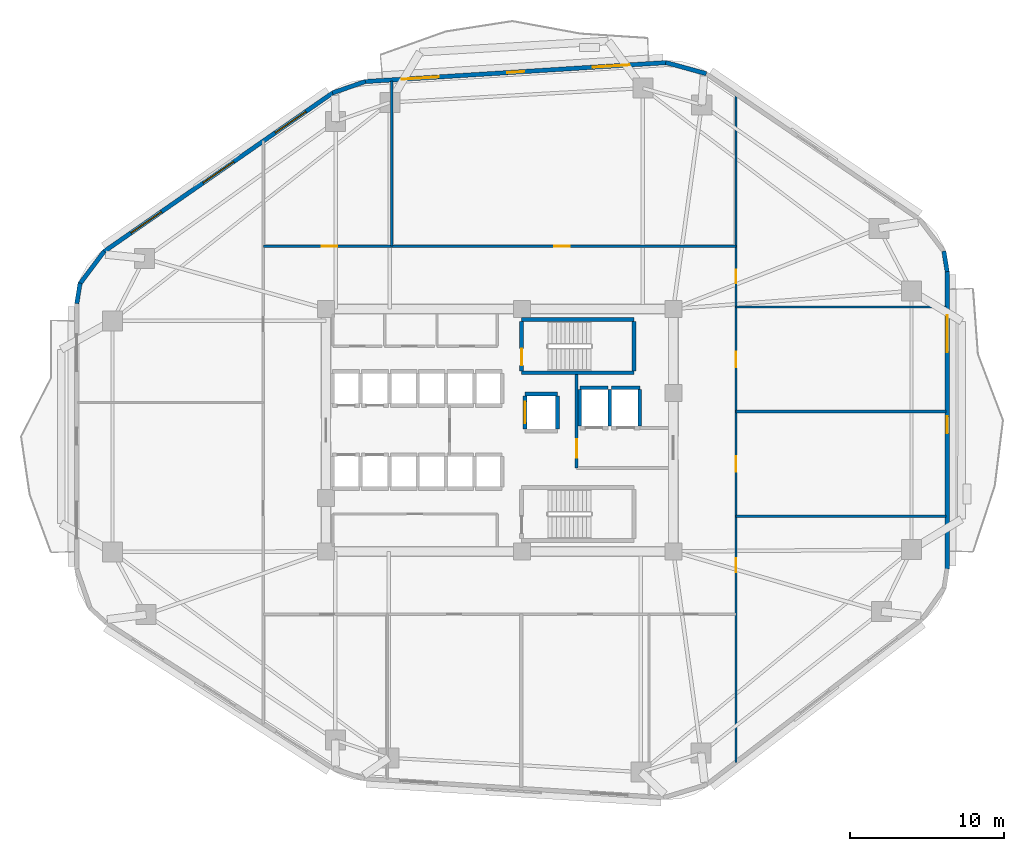
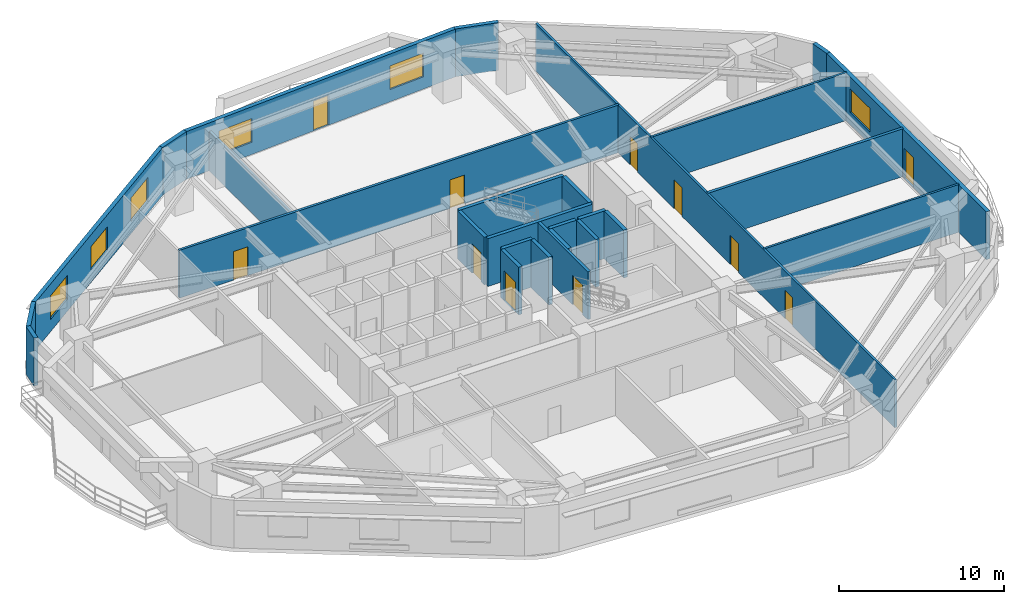
# One storey, part 5 of 9: 27 walls, 11 doors, 6 windows, 17 openings.
"""IFC4 building model written with IfcOpenShell, lengths in metres."""

from ifc_helpers import new_model, si_unit, direction, frame, frame_2d, origin, place, context, subcontext, project, spatial, rectangle, extrude, material, layer, layer_set, type_object, element, fill, save


model = new_model("IFC4")

# Units and contexts
model_context = context("Model", 3, precision=1e-05, world=origin(), true_north=direction((0.0, 1.0)))
body_context = subcontext(model_context, "Body", "Model", "MODEL_VIEW")
ifc_project = project(units=[si_unit("LENGTHUNIT", "METRE"), si_unit("AREAUNIT", "SQUARE_METRE"), si_unit("VOLUMEUNIT", "CUBIC_METRE"), si_unit("PLANEANGLEUNIT", "RADIAN"), si_unit("MASSUNIT", "GRAM", prefix="KILO")], contexts=[model_context])

# Site, building, storey
site_placement = place(None, origin())
site = spatial("IfcSite", under=ifc_project, at=site_placement, CompositionType="ELEMENT")
building_placement = place(site_placement, origin())
building = spatial("IfcBuilding", under=site, at=building_placement, Name="Zulverin Broadcast Headquarters", CompositionType="ELEMENT")
storey_placement = place(building_placement, frame((0.0, 0.0, 63.0)))
storey = spatial("IfcBuildingStorey", under=building, at=storey_placement, Name="L15", CompositionType="ELEMENT", Elevation=63.0)

# Wall
ifc_material_1 = material(Name="Acoustic drywall steel stud", Category="steel")
ifc_layer_1 = layer(ifc_material_1, 0.199951171875, Name="Acoustic drywall steel stud", Category="steel")
ifc_layer_set_1 = layer_set([ifc_layer_1], Name="Acoustic drywall steel stud")
wall_type_1 = type_object("IfcWallType", Name="WL-ACOU-200", PredefinedType="PARTITIONING", material=ifc_layer_set_1)
wall_1_placement = place(storey_placement, frame((52.35009765625, 26.39990234375, 0.0), z_axis=(0.0, 0.0, 1.0), x_axis=(1.0, 0.0, 0.0)))
element("IfcWall", 1, at=wall_1_placement, inside=storey, type_object=wall_type_1, Name="L15 Room Partition Wall RP-09", PredefinedType="PARTITIONING", context=body_context, shape_type="SweptSolid", body=[
    extrude(rectangle(XDim=13.64501953125, YDim=0.199951171875, at=frame_2d((6.822509765625, 0.0))), origin(), (0.0, 0.0, 1.0), 3.52490234375),
])

# Wall, openings, door, window
ifc_material_2 = material(Name="Insulated pale-metal clad concrete spandrel C40/50", Category="concrete")
ifc_layer_2 = layer(ifc_material_2, 0.280029296875, Name="Insulated pale-metal clad concrete spandrel C40/50", Category="concrete")
ifc_layer_set_2 = layer_set([ifc_layer_2], Name="Insulated pale-metal clad concrete spandrel C40/50")
wall_type_2 = type_object("IfcWallType", Name="WL-EXT-280", PredefinedType="STANDARD", material=ifc_layer_set_2)
wall_2_placement = place(storey_placement, frame((66.06005859375, 16.183349609375, 0.0), z_axis=(0.0, 0.0, 1.0), x_axis=(0.0, 1.0, 0.0)))
wall_2 = element("IfcWall", 2, at=wall_2_placement, inside=storey, type_object=wall_type_2, Name="L15 Pale-Metal Clad Spandrel Wall 3", PredefinedType="STANDARD", context=body_context, shape_type="SweptSolid", body=[
    extrude(rectangle(XDim=19.3310546875, YDim=0.280029296875, at=frame_2d((9.66552734375, 0.0))), origin(), (0.0, 0.0, 1.0), 3.52490234375),
])
opening_1_placement = place(wall_2_placement, frame((8.8154296875, 0.0, 0.0)))
opening_1 = element("IfcOpeningElement", 3, at=opening_1_placement, cuts=wall_2, Name="Opening D-L15-TR3", PredefinedType="OPENING", context=body_context, shape_type="SweptSolid", body=[
    extrude(rectangle(XDim=1.10009765625, YDim=2.199951171875, at=frame_2d((0.550048828125, 1.10009765625))), frame((0.0, 0.14990234375, 0.0), z_axis=(0.0, -1.0, 0.0), x_axis=(1.0, 0.0, 0.0)), (0.0, 0.0, 1.0), 0.300048828125),
])
opening_2_placement = place(wall_2_placement, frame((14.075927734375, 0.0, 0.89990234375)))
opening_2 = element("IfcOpeningElement", 4, at=opening_2_placement, cuts=wall_2, Name="Opening W-L15-E31", PredefinedType="OPENING", context=body_context, shape_type="SweptSolid", body=[
    extrude(rectangle(XDim=2.39990234375, YDim=1.75, at=frame_2d((1.199951171875, 0.875))), frame((0.0, 0.14990234375, 0.0), z_axis=(0.0, -1.0, 0.0), x_axis=(1.0, 0.0, 0.0)), (0.0, 0.0, 1.0), 0.300048828125),
])
ifc_material_3 = material(Name="Thermally broken aluminium glazed", Category="aluminium")
door_type_1 = type_object("IfcDoorType", Name="DR-TERR-1100", OperationType="SINGLE_SWING_RIGHT", PredefinedType="DOOR", material=ifc_material_3)
door_1_placement = place(opening_1_placement, origin())
door_1 = element("IfcDoor", 5, at=door_1_placement, inside=storey, type_object=door_type_1, Name="L15 Planted Terrace Glazed Access Door 3", OperationType="SINGLE_SWING_RIGHT", OverallHeight=2.199951171875, OverallWidth=1.10009765625, PredefinedType="DOOR", context=body_context, shape_type="SweptSolid", body=[
    extrude(rectangle(XDim=1.10009765625, YDim=2.199951171875, at=frame_2d((0.550048828125, 1.10009765625))), frame((0.0, 0.02490234375, 0.0), z_axis=(0.0, -1.0, 0.0), x_axis=(1.0, 0.0, 0.0)), (0.0, 0.0, 1.0), 0.050048828125),
])
fill(opening_1, door_1)
ifc_material_4 = material(Name="Pale anodized aluminium frame with solar-control low-E double glazing", Category="aluminium")
window_type = type_object("IfcWindowType", Name="WIN-RIB-2400", PartitioningType="SINGLE_PANEL", PredefinedType="WINDOW", material=ifc_material_4)
window_1_placement = place(opening_2_placement, origin())
window_1 = element("IfcWindow", 6, at=window_1_placement, inside=storey, type_object=window_type, Name="L15 Ribbon Glazing Window 3 1", OverallHeight=1.75, OverallWidth=2.39990234375, PartitioningType="SINGLE_PANEL", PredefinedType="WINDOW", context=body_context, shape_type="SweptSolid", body=[
    extrude(rectangle(XDim=2.39990234375, YDim=1.75, at=frame_2d((1.199951171875, 0.875))), frame((0.0, 0.030029296875, 0.0), z_axis=(0.0, -1.0, 0.0), x_axis=(1.0, 0.0, 0.0)), (0.0, 0.0, 1.0), 0.06005859375),
])
fill(opening_2, window_1)

# Wall, openings, door, windows
wall_3_placement = place(storey_placement, frame((47.831787109375, 49.0693359375, 0.0), z_axis=(0.0, 0.0, 1.0), x_axis=(-0.998017725054, -0.062933460723, 0.0)))
wall_3 = element("IfcWall", 7, at=wall_3_placement, inside=storey, type_object=wall_type_2, Name="L15 Pale-Metal Clad Spandrel Wall 5", PredefinedType="STANDARD", context=body_context, shape_type="SweptSolid", body=[
    extrude(rectangle(XDim=19.62939453125, YDim=0.280029296875, at=frame_2d((9.814697265625, 0.0))), origin(), (0.0, 0.0, 1.0), 3.52490234375),
])
opening_3_placement = place(wall_3_placement, frame((9.264892578125, 0.0, 0.0)))
opening_3 = element("IfcOpeningElement", 8, at=opening_3_placement, cuts=wall_3, Name="Opening D-L15-TR5", PredefinedType="OPENING", context=body_context, shape_type="SweptSolid", body=[
    extrude(rectangle(XDim=1.10009765625, YDim=2.199951171875, at=frame_2d((0.550048828125, 1.10009765625))), frame((0.0, 0.14990234375, 0.0), z_axis=(0.0, -1.0, 0.0), x_axis=(1.0, 0.0, 0.0)), (0.0, 0.0, 1.0), 0.300048828125),
])
opening_4_placement = place(wall_3_placement, frame((2.40478515625, 0.0, 0.89990234375)))
opening_4 = element("IfcOpeningElement", 9, at=opening_4_placement, cuts=wall_3, Name="Opening W-L15-E51", PredefinedType="OPENING", context=body_context, shape_type="SweptSolid", body=[
    extrude(rectangle(XDim=2.39990234375, YDim=1.75, at=frame_2d((1.199951171875, 0.875))), frame((0.0, 0.14990234375, 0.0), z_axis=(0.0, -1.0, 0.0), x_axis=(1.0, 0.0, 0.0)), (0.0, 0.0, 1.0), 0.300048828125),
])
opening_5_placement = place(wall_3_placement, frame((14.82470703125, 0.0, 0.89990234375)))
opening_5 = element("IfcOpeningElement", 10, at=opening_5_placement, cuts=wall_3, Name="Opening W-L15-E52", PredefinedType="OPENING", context=body_context, shape_type="SweptSolid", body=[
    extrude(rectangle(XDim=2.39990234375, YDim=1.75, at=frame_2d((1.199951171875, 0.875))), frame((0.0, 0.14990234375, 0.0), z_axis=(0.0, -1.0, 0.0), x_axis=(1.0, 0.0, 0.0)), (0.0, 0.0, 1.0), 0.300048828125),
])
door_2_placement = place(opening_3_placement, origin())
door_2 = element("IfcDoor", 11, at=door_2_placement, inside=storey, type_object=door_type_1, Name="L15 Planted Terrace Glazed Access Door 5", OperationType="SINGLE_SWING_RIGHT", OverallHeight=2.199951171875, OverallWidth=1.10009765625, PredefinedType="DOOR", context=body_context, shape_type="SweptSolid", body=[
    extrude(rectangle(XDim=1.10009765625, YDim=2.199951171875, at=frame_2d((0.550048828125, 1.10009765625))), frame((0.0, 0.02490234375, 0.0), z_axis=(0.0, -1.0, 0.0), x_axis=(1.0, 0.0, 0.0)), (0.0, 0.0, 1.0), 0.050048828125),
])
fill(opening_3, door_2)
window_2_placement = place(opening_4_placement, origin())
window_2 = element("IfcWindow", 12, at=window_2_placement, inside=storey, type_object=window_type, Name="L15 Ribbon Glazing Window 5 1", OverallHeight=1.75, OverallWidth=2.39990234375, PartitioningType="SINGLE_PANEL", PredefinedType="WINDOW", context=body_context, shape_type="SweptSolid", body=[
    extrude(rectangle(XDim=2.39990234375, YDim=1.75, at=frame_2d((1.199951171875, 0.875))), frame((0.0, 0.030029296875, 0.0), z_axis=(0.0, -1.0, 0.0), x_axis=(1.0, 0.0, 0.0)), (0.0, 0.0, 1.0), 0.06005859375),
])
fill(opening_4, window_2)
window_3_placement = place(opening_5_placement, origin())
window_3 = element("IfcWindow", 13, at=window_3_placement, inside=storey, type_object=window_type, Name="L15 Ribbon Glazing Window 5 2", OverallHeight=1.75, OverallWidth=2.39990234375, PartitioningType="SINGLE_PANEL", PredefinedType="WINDOW", context=body_context, shape_type="SweptSolid", body=[
    extrude(rectangle(XDim=2.39990234375, YDim=1.75, at=frame_2d((1.199951171875, 0.875))), frame((0.0, 0.030029296875, 0.0), z_axis=(0.0, -1.0, 0.0), x_axis=(1.0, 0.0, 0.0)), (0.0, 0.0, 1.0), 0.06005859375),
])
fill(opening_5, window_3)

# Wall, openings, windows
wall_4_placement = place(storey_placement, frame((26.181884765625, 47.11767578125, 0.0), z_axis=(0.0, 0.0, 1.0), x_axis=(-0.821547956627, -0.570139417127, 0.0)))
wall_4 = element("IfcWall", 14, at=wall_4_placement, inside=storey, type_object=wall_type_2, Name="L15 Pale-Metal Clad Spandrel Wall 6", PredefinedType="STANDARD", context=body_context, shape_type="SweptSolid", body=[
    extrude(rectangle(XDim=18.13232421875, YDim=0.280029296875, at=frame_2d((9.066162109375, 0.0))), origin(), (0.0, 0.0, 1.0), 3.52490234375),
])
opening_6_placement = place(wall_4_placement, frame((2.155517578125, 0.0, 0.89990234375)))
opening_6 = element("IfcOpeningElement", 15, at=opening_6_placement, cuts=wall_4, Name="Opening W-L15-E61", PredefinedType="OPENING", context=body_context, shape_type="SweptSolid", body=[
    extrude(rectangle(XDim=2.39990234375, YDim=1.75, at=frame_2d((1.199951171875, 0.875))), frame((0.0, 0.14990234375, 0.0), z_axis=(0.0, -1.0, 0.0), x_axis=(1.0, 0.0, 0.0)), (0.0, 0.0, 1.0), 0.300048828125),
])
opening_7_placement = place(wall_4_placement, frame((7.8662109375, 0.0, 0.89990234375)))
opening_7 = element("IfcOpeningElement", 16, at=opening_7_placement, cuts=wall_4, Name="Opening W-L15-E62", PredefinedType="OPENING", context=body_context, shape_type="SweptSolid", body=[
    extrude(rectangle(XDim=2.39990234375, YDim=1.75, at=frame_2d((1.199951171875, 0.875))), frame((0.0, 0.14990234375, 0.0), z_axis=(0.0, -1.0, 0.0), x_axis=(1.0, 0.0, 0.0)), (0.0, 0.0, 1.0), 0.300048828125),
])
opening_8_placement = place(wall_4_placement, frame((13.576904296875, 0.0, 0.89990234375)))
opening_8 = element("IfcOpeningElement", 17, at=opening_8_placement, cuts=wall_4, Name="Opening W-L15-E63", PredefinedType="OPENING", context=body_context, shape_type="SweptSolid", body=[
    extrude(rectangle(XDim=2.39990234375, YDim=1.75, at=frame_2d((1.199951171875, 0.875))), frame((0.0, 0.14990234375, 0.0), z_axis=(0.0, -1.0, 0.0), x_axis=(1.0, 0.0, 0.0)), (0.0, 0.0, 1.0), 0.300048828125),
])
window_4_placement = place(opening_6_placement, origin())
window_4 = element("IfcWindow", 18, at=window_4_placement, inside=storey, type_object=window_type, Name="L15 Ribbon Glazing Window 6 1", OverallHeight=1.75, OverallWidth=2.39990234375, PartitioningType="SINGLE_PANEL", PredefinedType="WINDOW", context=body_context, shape_type="SweptSolid", body=[
    extrude(rectangle(XDim=2.39990234375, YDim=1.75, at=frame_2d((1.199951171875, 0.875))), frame((0.0, 0.030029296875, 0.0), z_axis=(0.0, -1.0, 0.0), x_axis=(1.0, 0.0, 0.0)), (0.0, 0.0, 1.0), 0.06005859375),
])
fill(opening_6, window_4)
window_5_placement = place(opening_7_placement, origin())
window_5 = element("IfcWindow", 19, at=window_5_placement, inside=storey, type_object=window_type, Name="L15 Ribbon Glazing Window 6 2", OverallHeight=1.75, OverallWidth=2.39990234375, PartitioningType="SINGLE_PANEL", PredefinedType="WINDOW", context=body_context, shape_type="SweptSolid", body=[
    extrude(rectangle(XDim=2.39990234375, YDim=1.75, at=frame_2d((1.199951171875, 0.875))), frame((0.0, 0.030029296875, 0.0), z_axis=(0.0, -1.0, 0.0), x_axis=(1.0, 0.0, 0.0)), (0.0, 0.0, 1.0), 0.06005859375),
])
fill(opening_7, window_5)
window_6_placement = place(opening_8_placement, origin())
window_6 = element("IfcWindow", 20, at=window_6_placement, inside=storey, type_object=window_type, Name="L15 Ribbon Glazing Window 6 3", OverallHeight=1.75, OverallWidth=2.39990234375, PartitioningType="SINGLE_PANEL", PredefinedType="WINDOW", context=body_context, shape_type="SweptSolid", body=[
    extrude(rectangle(XDim=2.39990234375, YDim=1.75, at=frame_2d((1.199951171875, 0.875))), frame((0.0, 0.030029296875, 0.0), z_axis=(0.0, -1.0, 0.0), x_axis=(1.0, 0.0, 0.0)), (0.0, 0.0, 1.0), 0.06005859375),
])
fill(opening_8, window_6)

# Walls
wall_5_placement = place(storey_placement, frame((66.061767578125, 35.491943359375, 0.0), z_axis=(0.0, 0.0, 1.0), x_axis=(-0.161182073582, 0.986924687682, 0.0)))
element("IfcWall", 21, at=wall_5_placement, inside=storey, type_object=wall_type_2, Name="L15 Wind-Shaped Corner Spandrel Wall 3-1", PredefinedType="STANDARD", context=body_context, shape_type="SweptSolid", body=[
    extrude(rectangle(XDim=1.354248046875, YDim=0.280029296875, at=frame_2d((0.67724609375, 0.0))), origin(), (0.0, 0.0, 1.0), 3.52490234375),
])
wall_6_placement = place(storey_placement, frame((50.419189453125, 48.3505859375, 0.0), z_axis=(0.0, 0.0, 1.0), x_axis=(-0.964254516967, 0.264977784933, 0.0)))
element("IfcWall", 22, at=wall_6_placement, inside=storey, type_object=wall_type_2, Name="L15 Wind-Shaped Corner Spandrel Wall 4-1", PredefinedType="STANDARD", context=body_context, shape_type="SweptSolid", body=[
    extrude(rectangle(XDim=2.73095703125, YDim=0.280029296875, at=frame_2d((1.365478515625, 0.0))), origin(), (0.0, 0.0, 1.0), 3.52490234375),
])
wall_7_placement = place(storey_placement, frame((28.2783203125, 47.841552734375, 0.0), z_axis=(0.0, 0.0, 1.0), x_axis=(-0.9444559001, -0.328638179106, 0.0)))
element("IfcWall", 23, at=wall_7_placement, inside=storey, type_object=wall_type_2, Name="L15 Wind-Shaped Corner Spandrel Wall 5-1", PredefinedType="STANDARD", context=body_context, shape_type="SweptSolid", body=[
    extrude(rectangle(XDim=2.25537109375, YDim=0.280029296875, at=frame_2d((1.127685546875, 0.0))), origin(), (0.0, 0.0, 1.0), 3.52490234375),
])
wall_8_placement = place(storey_placement, frame((11.317626953125, 36.81103515625, 0.0), z_axis=(0.0, 0.0, 1.0), x_axis=(-0.599455152629, -0.800408345775, 0.0)))
element("IfcWall", 24, at=wall_8_placement, inside=storey, type_object=wall_type_2, Name="L15 Wind-Shaped Corner Spandrel Wall 6-1", PredefinedType="STANDARD", context=body_context, shape_type="SweptSolid", body=[
    extrude(rectangle(XDim=2.6533203125, YDim=0.280029296875, at=frame_2d((1.32666015625, 0.0))), origin(), (0.0, 0.0, 1.0), 3.52490234375),
])
wall_9_placement = place(storey_placement, frame((9.753173828125, 34.748779296875, 0.0), z_axis=(0.0, 0.0, 1.0), x_axis=(-0.160037671962, -0.987110907423, 0.0)))
element("IfcWall", 25, at=wall_9_placement, inside=storey, type_object=wall_type_2, Name="L15 Wind-Shaped Corner Spandrel Wall 6-2", PredefinedType="STANDARD", context=body_context, shape_type="SweptSolid", body=[
    extrude(rectangle(XDim=1.343994140625, YDim=0.280029296875, at=frame_2d((0.671875, 0.0))), origin(), (0.0, 0.0, 1.0), 3.52490234375),
])

# Wall, opening, door
ifc_material_5 = material(Name="Concrete C40/50", Category="concrete")
ifc_layer_3 = layer(ifc_material_5, 0.199951171875, Name="Concrete C40/50", Category="concrete")
ifc_layer_set_3 = layer_set([ifc_layer_3], Name="Concrete C40/50")
wall_type_3 = type_object("IfcWallType", Name="WL-FFL-200", PredefinedType="SOLIDWALL", material=ifc_layer_set_3)
wall_10_placement = place(storey_placement, frame((42.0, 22.75, 0.0), z_axis=(0.0, 0.0, 1.0), x_axis=(0.0, 1.0, 0.0)))
wall_10 = element("IfcWall", 26, at=wall_10_placement, inside=storey, type_object=wall_type_3, Name="L15 Firefighting Lift Lobby West Wall", PredefinedType="SOLIDWALL", context=body_context, shape_type="SweptSolid", body=[
    extrude(rectangle(XDim=6.050048828125, YDim=0.199951171875, at=frame_2d((3.02490234375, 0.0))), origin(), (0.0, 0.0, 1.0), 3.52490234375),
])
opening_9_placement = place(wall_10_placement, frame((0.64990234375, 0.0, 0.0)))
opening_9 = element("IfcOpeningElement", 27, at=opening_9_placement, cuts=wall_10, Name="Opening D-L15-FFLW", PredefinedType="OPENING", context=body_context, shape_type="SweptSolid", body=[
    extrude(rectangle(XDim=1.199951171875, YDim=2.14990234375, at=frame_2d((0.60009765625, 1.074951171875))), frame((0.0, 0.10986328125, 0.0), z_axis=(0.0, -1.0, 0.0), x_axis=(1.0, 0.0, 0.0)), (0.0, 0.0, 1.0), 0.219970703125),
])
ifc_material_6 = material(Name="Fire-rated steel leaf and frame", Category="steel")
door_type_2 = type_object("IfcDoorType", Name="DR-FFL-1200", OperationType="SINGLE_SWING_RIGHT", PredefinedType="DOOR", material=ifc_material_6)
door_3_placement = place(opening_9_placement, origin())
door_3 = element("IfcDoor", 28, at=door_3_placement, inside=storey, type_object=door_type_2, Name="L15 Firefighting Lift Lobby Door", OperationType="SINGLE_SWING_RIGHT", OverallHeight=2.14990234375, OverallWidth=1.199951171875, PredefinedType="DOOR", context=body_context, shape_type="SweptSolid", body=[
    extrude(rectangle(XDim=1.199951171875, YDim=2.14990234375, at=frame_2d((0.60009765625, 1.074951171875))), frame((0.0, 0.02490234375, 0.0), z_axis=(0.0, -1.0, 0.0), x_axis=(1.0, 0.0, 0.0)), (0.0, 0.0, 1.0), 0.050048828125),
])
fill(opening_9, door_3)

# Wall, openings, doors
ifc_material_7 = material(Name="Fire-rated gypsum stud partition", Category="gypsum")
ifc_layer_4 = layer(ifc_material_7, 0.14990234375, Name="Fire-rated gypsum stud partition", Category="gypsum")
ifc_layer_set_4 = layer_set([ifc_layer_4], Name="Fire-rated gypsum stud partition")
wall_type_4 = type_object("IfcWallType", Name="WL-PART-150", PredefinedType="PARTITIONING", material=ifc_layer_set_4)
wall_11_placement = place(storey_placement, frame((52.35009765625, 3.611328125, 0.0), z_axis=(0.0, 0.0, 1.0), x_axis=(0.0, 1.0, 0.0)))
wall_11 = element("IfcWall", 29, at=wall_11_placement, inside=storey, type_object=wall_type_4, Name="L15 Gallery Partition Wall CG-01", PredefinedType="PARTITIONING", context=body_context, shape_type="SweptSolid", body=[
    extrude(rectangle(XDim=43.440673828125, YDim=0.14990234375, at=frame_2d((21.72021484375, 0.0))), origin(), (0.0, 0.0, 1.0), 3.52490234375),
])
opening_10_placement = place(wall_11_placement, frame((12.36376953125, 0.0, 0.0)))
opening_10 = element("IfcOpeningElement", 30, at=opening_10_placement, cuts=wall_11, Name="Opening D-L15-09", PredefinedType="OPENING", context=body_context, shape_type="SweptSolid", body=[
    extrude(rectangle(XDim=0.89990234375, YDim=2.10009765625, at=frame_2d((0.449951171875, 1.050048828125))), frame((0.0, 0.0849609375, 0.0), z_axis=(0.0, -1.0, 0.0), x_axis=(1.0, 0.0, 0.0)), (0.0, 0.0, 1.0), 0.169921875),
])
opening_11_placement = place(wall_11_placement, frame((18.888671875, 0.0, 0.0)))
opening_11 = element("IfcOpeningElement", 31, at=opening_11_placement, cuts=wall_11, Name="Opening D-L15-10", PredefinedType="OPENING", context=body_context, shape_type="SweptSolid", body=[
    extrude(rectangle(XDim=1.0, YDim=2.1201171875, at=frame_2d((0.5, 1.06005859375))), frame((0.0, 0.0849609375, 0.0), z_axis=(0.0, -1.0, 0.0), x_axis=(1.0, 0.0, 0.0)), (0.0, 0.0, 1.0), 0.169921875),
])
opening_12_placement = place(wall_11_placement, frame((25.688720703125, 0.0, 0.0)))
opening_12 = element("IfcOpeningElement", 32, at=opening_12_placement, cuts=wall_11, Name="Opening D-L15-11", PredefinedType="OPENING", context=body_context, shape_type="SweptSolid", body=[
    extrude(rectangle(XDim=1.0, YDim=2.1201171875, at=frame_2d((0.5, 1.06005859375))), frame((0.0, 0.0849609375, 0.0), z_axis=(0.0, -1.0, 0.0), x_axis=(1.0, 0.0, 0.0)), (0.0, 0.0, 1.0), 0.169921875),
])
opening_13_placement = place(wall_11_placement, frame((31.11376953125, 0.0, 0.0)))
opening_13 = element("IfcOpeningElement", 33, at=opening_13_placement, cuts=wall_11, Name="Opening D-L15-12", PredefinedType="OPENING", context=body_context, shape_type="SweptSolid", body=[
    extrude(rectangle(XDim=0.89990234375, YDim=2.10009765625, at=frame_2d((0.449951171875, 1.050048828125))), frame((0.0, 0.0849609375, 0.0), z_axis=(0.0, -1.0, 0.0), x_axis=(1.0, 0.0, 0.0)), (0.0, 0.0, 1.0), 0.169921875),
])
ifc_material_8 = material(Name="Hardwood veneer acoustic leaf", Category="wood")
door_type_3 = type_object("IfcDoorType", Name="DR-OFF-1000", OperationType="SINGLE_SWING_LEFT", PredefinedType="DOOR", material=ifc_material_8)
door_4_placement = place(opening_11_placement, origin())
door_4 = element("IfcDoor", 34, at=door_4_placement, inside=storey, type_object=door_type_3, Name="L15 Documentary Editing Workplace Door", OperationType="SINGLE_SWING_LEFT", OverallHeight=2.1201171875, OverallWidth=1.0, PredefinedType="DOOR", context=body_context, shape_type="SweptSolid", body=[
    extrude(rectangle(XDim=1.0, YDim=2.1201171875, at=frame_2d((0.5, 1.06005859375))), frame((0.0, 0.02490234375, 0.0), z_axis=(0.0, -1.0, 0.0), x_axis=(1.0, 0.0, 0.0)), (0.0, 0.0, 1.0), 0.050048828125),
])
fill(opening_11, door_4)
door_5_placement = place(opening_12_placement, origin())
door_5 = element("IfcDoor", 35, at=door_5_placement, inside=storey, type_object=door_type_3, Name="L15 Colour Correction Office Door", OperationType="SINGLE_SWING_RIGHT", OverallHeight=2.1201171875, OverallWidth=1.0, PredefinedType="DOOR", context=body_context, shape_type="SweptSolid", body=[
    extrude(rectangle(XDim=1.0, YDim=2.1201171875, at=frame_2d((0.5, 1.06005859375))), frame((0.0, 0.02490234375, 0.0), z_axis=(0.0, -1.0, 0.0), x_axis=(1.0, 0.0, 0.0)), (0.0, 0.0, 1.0), 0.050048828125),
])
fill(opening_12, door_5)
ifc_material_9 = material(Name="Fire-rated hardwood veneer timber leaf", Category="wood")
door_type_4 = type_object("IfcDoorType", Name="DR-ROOM-900", OperationType="SINGLE_SWING_RIGHT", PredefinedType="DOOR", material=ifc_material_9)
door_6_placement = place(opening_10_placement, origin())
door_6 = element("IfcDoor", 36, at=door_6_placement, inside=storey, type_object=door_type_4, Name="L15 Client Reception Door", OperationType="SINGLE_SWING_RIGHT", OverallHeight=2.10009765625, OverallWidth=0.89990234375, PredefinedType="DOOR", context=body_context, shape_type="SweptSolid", body=[
    extrude(rectangle(XDim=0.89990234375, YDim=2.10009765625, at=frame_2d((0.449951171875, 1.050048828125))), frame((0.0, 0.02490234375, 0.0), z_axis=(0.0, -1.0, 0.0), x_axis=(1.0, 0.0, 0.0)), (0.0, 0.0, 1.0), 0.050048828125),
])
fill(opening_10, door_6)
door_7_placement = place(opening_13_placement, origin())
door_7 = element("IfcDoor", 37, at=door_7_placement, inside=storey, type_object=door_type_4, Name="L15 Colour Review Suite Door", OperationType="SINGLE_SWING_LEFT", OverallHeight=2.10009765625, OverallWidth=0.89990234375, PredefinedType="DOOR", context=body_context, shape_type="SweptSolid", body=[
    extrude(rectangle(XDim=0.89990234375, YDim=2.10009765625, at=frame_2d((0.449951171875, 1.050048828125))), frame((0.0, 0.02490234375, 0.0), z_axis=(0.0, -1.0, 0.0), x_axis=(1.0, 0.0, 0.0)), (0.0, 0.0, 1.0), 0.050048828125),
])
fill(opening_13, door_7)

# Walls
wall_12_placement = place(storey_placement, frame((30.0, 37.14990234375, 0.0), z_axis=(0.0, 0.0, 1.0), x_axis=(0.0, 1.0, 0.0)))
element("IfcWall", 38, at=wall_12_placement, inside=storey, type_object=wall_type_4, Name="L15 Room Partition Wall RP-04", PredefinedType="PARTITIONING", context=body_context, shape_type="SweptSolid", body=[
    extrude(rectangle(XDim=10.730224609375, YDim=0.14990234375, at=frame_2d((5.365234375, 0.0))), origin(), (0.0, 0.0, 1.0), 2.90771484375),
])
for number, where, z_axis, x_axis, name in (
    (39, (52.35009765625, 19.60009765625, 0.0), (0.0, 0.0, 1.0), (1.0, 0.0, 0.0), "L15 Room Partition Wall RP-08"),
    (40, (52.35009765625, 33.199951171875, 0.0), (0.0, 0.0, 1.0), (1.0, 0.0, 0.0), "L15 Room Partition Wall RP-11"),
):
    element("IfcWall", number, at=place(storey_placement, frame(where, z_axis=z_axis, x_axis=x_axis)), inside=storey, type_object=wall_type_4, Name=name, PredefinedType="PARTITIONING", context=body_context, shape_type="SweptSolid", body=[
        extrude(rectangle(XDim=13.64501953125, YDim=0.14990234375, at=frame_2d((6.822509765625, 0.0))), origin(), (0.0, 0.0, 1.0), 3.52490234375),
    ])

# Wall, openings, doors
ifc_material_10 = material(Name="Fire-rated acoustic stud wall", Category="gypsum")
ifc_layer_5 = layer(ifc_material_10, 0.175048828125, Name="Fire-rated acoustic stud wall", Category="gypsum")
ifc_layer_set_5 = layer_set([ifc_layer_5], Name="Fire-rated acoustic stud wall")
wall_type_5 = type_object("IfcWallType", Name="WL-PART-175", PredefinedType="PARTITIONING", material=ifc_layer_set_5)
wall_13_placement = place(storey_placement, frame((21.64990234375, 37.14990234375, 0.0), z_axis=(0.0, 0.0, 1.0), x_axis=(1.0, 0.0, 0.0)))
wall_13 = element("IfcWall", 41, at=wall_13_placement, inside=storey, type_object=wall_type_5, Name="L15 Gallery Partition Wall CG-12", PredefinedType="PARTITIONING", context=body_context, shape_type="SweptSolid", body=[
    extrude(rectangle(XDim=30.7001953125, YDim=0.175048828125, at=frame_2d((15.35009765625, 0.0))), origin(), (0.0, 0.0, 1.0), 3.52490234375),
])
opening_14_placement = place(wall_13_placement, frame((3.794921875, 0.0, 0.0)))
opening_14 = element("IfcOpeningElement", 42, at=opening_14_placement, cuts=wall_13, Name="Opening D-L15-01", PredefinedType="OPENING", context=body_context, shape_type="SweptSolid", body=[
    extrude(rectangle(XDim=1.0, YDim=2.1201171875, at=frame_2d((0.5, 1.06005859375))), frame((0.0, 0.097412109375, 0.0), z_axis=(0.0, -1.0, 0.0), x_axis=(1.0, 0.0, 0.0)), (0.0, 0.0, 1.0), 0.195068359375),
])
opening_15_placement = place(wall_13_placement, frame((18.905029296875, 0.0, 0.0)))
opening_15 = element("IfcOpeningElement", 43, at=opening_15_placement, cuts=wall_13, Name="Opening D-L15-02", PredefinedType="OPENING", context=body_context, shape_type="SweptSolid", body=[
    extrude(rectangle(XDim=1.0, YDim=2.1201171875, at=frame_2d((0.5, 1.06005859375))), frame((0.0, 0.097412109375, 0.0), z_axis=(0.0, -1.0, 0.0), x_axis=(1.0, 0.0, 0.0)), (0.0, 0.0, 1.0), 0.195068359375),
])
door_8_placement = place(opening_14_placement, origin())
door_8 = element("IfcDoor", 44, at=door_8_placement, inside=storey, type_object=door_type_3, Name="L15 Documentary Editing Workplace Door", OperationType="SINGLE_SWING_RIGHT", OverallHeight=2.1201171875, OverallWidth=1.0, PredefinedType="DOOR", context=body_context, shape_type="SweptSolid", body=[
    extrude(rectangle(XDim=1.0, YDim=2.1201171875, at=frame_2d((0.5, 1.06005859375))), frame((0.0, 0.02490234375, 0.0), z_axis=(0.0, -1.0, 0.0), x_axis=(1.0, 0.0, 0.0)), (0.0, 0.0, 1.0), 0.050048828125),
])
fill(opening_14, door_8)
door_9_placement = place(opening_15_placement, origin())
door_9 = element("IfcDoor", 45, at=door_9_placement, inside=storey, type_object=door_type_3, Name="L15 Colour Correction Office Door", OperationType="SINGLE_SWING_LEFT", OverallHeight=2.1201171875, OverallWidth=1.0, PredefinedType="DOOR", context=body_context, shape_type="SweptSolid", body=[
    extrude(rectangle(XDim=1.0, YDim=2.1201171875, at=frame_2d((0.5, 1.06005859375))), frame((0.0, 0.02490234375, 0.0), z_axis=(0.0, -1.0, 0.0), x_axis=(1.0, 0.0, 0.0)), (0.0, 0.0, 1.0), 0.050048828125),
])
fill(opening_15, door_9)

# Walls
ifc_material_11 = material(Name="Concrete C50/60", Category="concrete")
ifc_layer_6 = layer(ifc_material_11, 0.25, Name="Concrete C50/60", Category="concrete")
ifc_layer_set_6 = layer_set([ifc_layer_6], Name="Concrete C50/60")
wall_type_6 = type_object("IfcWallType", Name="WL-SHAFT-250", PredefinedType="SHEAR", material=ifc_layer_set_6)
for number, where, z_axis, x_axis, name in (
    (46, (38.425048828125, 28.925048828125, 0.0), (0.0, 0.0, 1.0), (1.0, 0.0, 0.0), "L15 ST-1 Enclosure Wall S"),
    (47, (38.425048828125, 32.375, 0.0), (0.0, 0.0, 1.0), (1.0, 0.0, 0.0), "L15 ST-1 Enclosure Wall N"),
):
    element("IfcWall", number, at=place(storey_placement, frame(where, z_axis=z_axis, x_axis=x_axis)), inside=storey, type_object=wall_type_6, Name=name, PredefinedType="SHEAR", context=body_context, shape_type="SweptSolid", body=[
        extrude(rectangle(XDim=7.300048828125, YDim=0.25, at=frame_2d((3.64990234375, 0.0))), origin(), (0.0, 0.0, 1.0), 3.52490234375),
    ])

# Wall, opening, door
wall_14_placement = place(storey_placement, frame((38.425048828125, 29.050048828125, 0.0), z_axis=(0.0, 0.0, 1.0), x_axis=(0.0, 1.0, 0.0)))
wall_14 = element("IfcWall", 48, at=wall_14_placement, inside=storey, type_object=wall_type_6, Name="L15 ST-1 Enclosure Wall W", PredefinedType="SHEAR", context=body_context, shape_type="SweptSolid", body=[
    extrude(rectangle(XDim=3.199951171875, YDim=0.25, at=frame_2d((1.60009765625, 0.0))), origin(), (0.0, 0.0, 1.0), 3.52490234375),
])
opening_16_placement = place(wall_14_placement, frame((0.35009765625, 0.0, 0.0)))
opening_16 = element("IfcOpeningElement", 49, at=opening_16_placement, cuts=wall_14, Name="Opening D-L15-ST-1", PredefinedType="OPENING", context=body_context, shape_type="SweptSolid", body=[
    extrude(rectangle(XDim=1.10009765625, YDim=2.14990234375, at=frame_2d((0.550048828125, 1.074951171875))), frame((0.0, 0.135009765625, 0.0), z_axis=(0.0, -1.0, 0.0), x_axis=(1.0, 0.0, 0.0)), (0.0, 0.0, 1.0), 0.27001953125),
])
door_type_5 = type_object("IfcDoorType", Name="DR-STAIR-1100", OperationType="SINGLE_SWING_LEFT", PredefinedType="DOOR", material=ifc_material_6)
door_10_placement = place(opening_16_placement, origin())
door_10 = element("IfcDoor", 50, at=door_10_placement, inside=storey, type_object=door_type_5, Name="L15 Exit Stair ST-1 Fire Door", OperationType="SINGLE_SWING_LEFT", OverallHeight=2.14990234375, OverallWidth=1.10009765625, PredefinedType="DOOR", context=body_context, shape_type="SweptSolid", body=[
    extrude(rectangle(XDim=1.10009765625, YDim=2.14990234375, at=frame_2d((0.550048828125, 1.074951171875))), frame((0.0, 0.02490234375, 0.0), z_axis=(0.0, -1.0, 0.0), x_axis=(1.0, 0.0, 0.0)), (0.0, 0.0, 1.0), 0.050048828125),
])
fill(opening_16, door_10)

# Walls
wall_15_placement = place(storey_placement, frame((45.72509765625, 29.050048828125, 0.0), z_axis=(0.0, 0.0, 1.0), x_axis=(0.0, 1.0, 0.0)))
element("IfcWall", 51, at=wall_15_placement, inside=storey, type_object=wall_type_6, Name="L15 ST-1 Enclosure Wall E", PredefinedType="SHEAR", context=body_context, shape_type="SweptSolid", body=[
    extrude(rectangle(XDim=3.199951171875, YDim=0.25, at=frame_2d((1.60009765625, 0.0))), origin(), (0.0, 0.0, 1.0), 3.52490234375),
])
wall_16_placement = place(storey_placement, frame((42.199951171875, 27.949951171875, 0.0), z_axis=(0.0, 0.0, 1.0), x_axis=(1.0, 0.0, 0.0)))
element("IfcWall", 52, at=wall_16_placement, inside=storey, type_object=wall_type_6, Name="L15 Lift FFL-1 Shaft Wall N", PredefinedType="SHEAR", context=body_context, shape_type="SweptSolid", body=[
    extrude(rectangle(XDim=1.85009765625, YDim=0.25, at=frame_2d((0.925048828125, 0.0))), origin(), (0.0, 0.0, 1.0), 3.52490234375),
])
for number, where, z_axis, x_axis, name in (
    (53, (42.199951171875, 25.469970703125, 0.0), (0.0, 0.0, 1.0), (0.0, 1.0, 0.0), "L15 Lift FFL-1 Shaft Wall W"),
    (54, (44.14990234375, 25.469970703125, 0.0), (0.0, 0.0, 1.0), (0.0, 1.0, 0.0), "L15 Lift FFL-1 Shaft Wall E"),
):
    element("IfcWall", number, at=place(storey_placement, frame(where, z_axis=z_axis, x_axis=x_axis)), inside=storey, type_object=wall_type_6, Name=name, PredefinedType="SHEAR", context=body_context, shape_type="SweptSolid", body=[
        extrude(rectangle(XDim=2.360107421875, YDim=0.25, at=frame_2d((1.18017578125, 0.0))), origin(), (0.0, 0.0, 1.0), 3.52490234375),
    ])
wall_17_placement = place(storey_placement, frame((44.25, 27.949951171875, 0.0), z_axis=(0.0, 0.0, 1.0), x_axis=(1.0, 0.0, 0.0)))
element("IfcWall", 55, at=wall_17_placement, inside=storey, type_object=wall_type_6, Name="L15 Lift FFL-2 Shaft Wall N", PredefinedType="SHEAR", context=body_context, shape_type="SweptSolid", body=[
    extrude(rectangle(XDim=1.85009765625, YDim=0.25, at=frame_2d((0.925048828125, 0.0))), origin(), (0.0, 0.0, 1.0), 3.52490234375),
])
wall_18_placement = place(storey_placement, frame((46.10009765625, 25.469970703125, 0.0), z_axis=(0.0, 0.0, 1.0), x_axis=(0.0, 1.0, 0.0)))
element("IfcWall", 56, at=wall_18_placement, inside=storey, type_object=wall_type_6, Name="L15 Lift FFL-2 Shaft Wall E", PredefinedType="SHEAR", context=body_context, shape_type="SweptSolid", body=[
    extrude(rectangle(XDim=2.360107421875, YDim=0.25, at=frame_2d((1.18017578125, 0.0))), origin(), (0.0, 0.0, 1.0), 3.52490234375),
])
wall_19_placement = place(storey_placement, frame((38.64990234375, 27.550048828125, 0.0), z_axis=(0.0, 0.0, 1.0), x_axis=(1.0, 0.0, 0.0)))
element("IfcWall", 57, at=wall_19_placement, inside=storey, type_object=wall_type_6, Name="L15 Lift SVL-1 Shaft Wall N", PredefinedType="SHEAR", context=body_context, shape_type="SweptSolid", body=[
    extrude(rectangle(XDim=2.10009765625, YDim=0.25, at=frame_2d((1.050048828125, 0.0))), origin(), (0.0, 0.0, 1.0), 3.52490234375),
])

# Wall, opening, door
wall_20_placement = place(storey_placement, frame((38.64990234375, 25.27001953125, 0.0), z_axis=(0.0, 0.0, 1.0), x_axis=(0.0, 1.0, 0.0)))
wall_20 = element("IfcWall", 58, at=wall_20_placement, inside=storey, type_object=wall_type_6, Name="L15 Lift SVL-1 Shaft Wall W", PredefinedType="SHEAR", context=body_context, shape_type="SweptSolid", body=[
    extrude(rectangle(XDim=2.159912109375, YDim=0.25, at=frame_2d((1.080078125, 0.0))), origin(), (0.0, 0.0, 1.0), 3.52490234375),
])
opening_17_placement = place(wall_20_placement, frame((0.3798828125, 0.0, 0.0)))
opening_17 = element("IfcOpeningElement", 59, at=opening_17_placement, cuts=wall_20, Name="Opening LD-SVL-1-L15", PredefinedType="OPENING", context=body_context, shape_type="SweptSolid", body=[
    extrude(rectangle(XDim=1.39990234375, YDim=2.199951171875, at=frame_2d((0.699951171875, 1.10009765625))), frame((0.0, 0.135009765625, 0.0), z_axis=(0.0, -1.0, 0.0), x_axis=(1.0, 0.0, 0.0)), (0.0, 0.0, 1.0), 0.27001953125),
])
ifc_material_12 = material(Name="Heavy-duty stainless landing door", Category="steel")
door_type_6 = type_object("IfcDoorType", Name="LD-GOODS-1400", OperationType="DOUBLE_DOOR_SLIDING", PredefinedType="DOOR", material=ifc_material_12)
door_11_placement = place(opening_17_placement, origin())
door_11 = element("IfcDoor", 60, at=door_11_placement, inside=storey, type_object=door_type_6, Name="L15 Lift SVL-1 Sliding Landing Door", OperationType="DOUBLE_DOOR_SLIDING", OverallHeight=2.199951171875, OverallWidth=1.39990234375, PredefinedType="DOOR", context=body_context, shape_type="SweptSolid", body=[
    extrude(rectangle(XDim=1.39990234375, YDim=2.199951171875, at=frame_2d((0.699951171875, 1.10009765625))), frame((0.0, 0.02490234375, 0.0), z_axis=(0.0, -1.0, 0.0), x_axis=(1.0, 0.0, 0.0)), (0.0, 0.0, 1.0), 0.050048828125),
])
fill(opening_17, door_11)

# Wall
wall_21_placement = place(storey_placement, frame((40.75, 25.27001953125, 0.0), z_axis=(0.0, 0.0, 1.0), x_axis=(0.0, 1.0, 0.0)))
element("IfcWall", 61, at=wall_21_placement, inside=storey, type_object=wall_type_6, Name="L15 Lift SVL-1 Shaft Wall E", PredefinedType="SHEAR", context=body_context, shape_type="SweptSolid", body=[
    extrude(rectangle(XDim=2.159912109375, YDim=0.25, at=frame_2d((1.080078125, 0.0))), origin(), (0.0, 0.0, 1.0), 3.52490234375),
])

save(model, "model.ifc")
